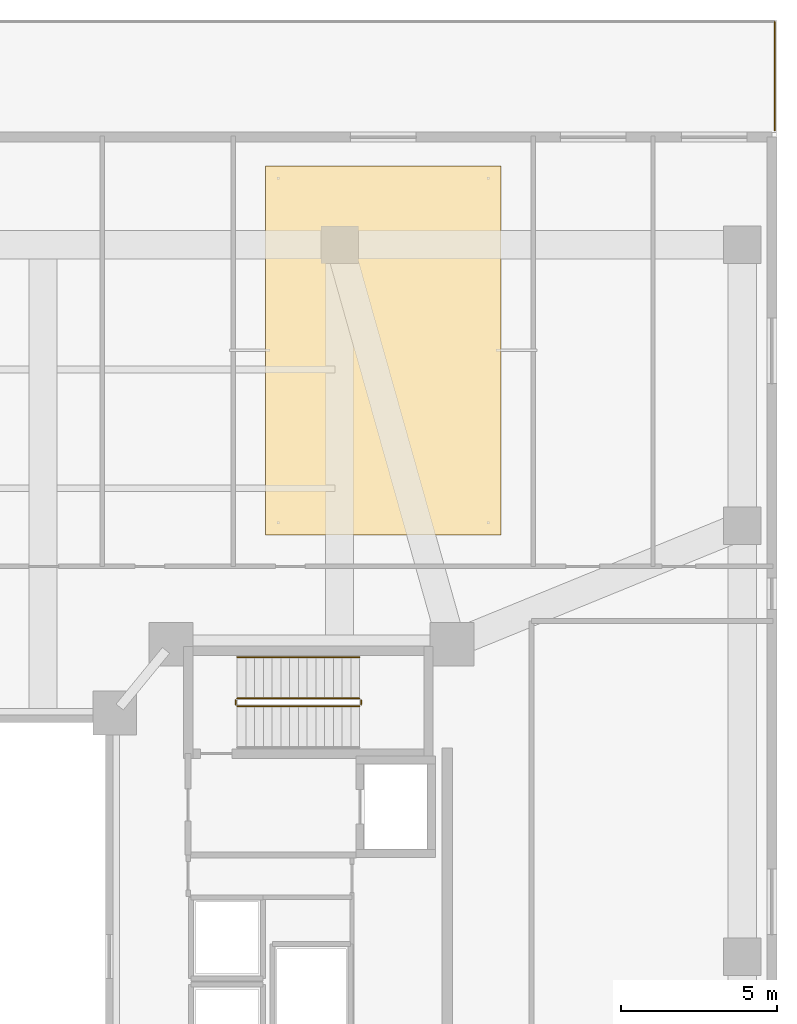
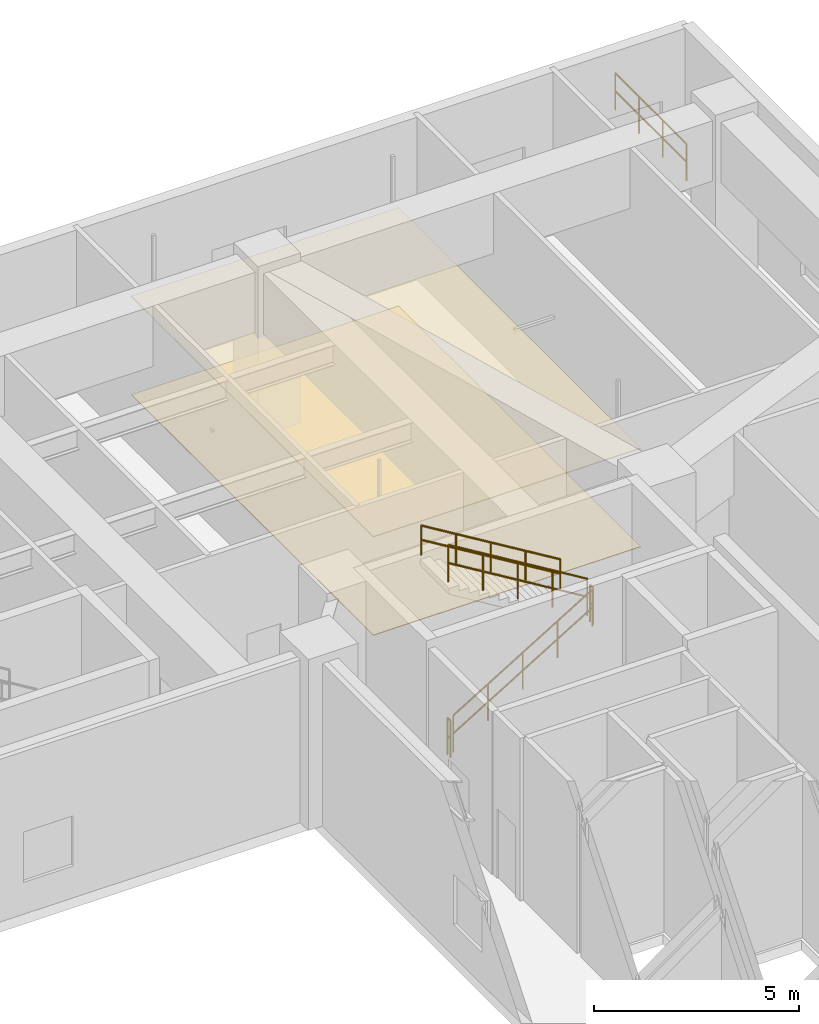
# One storey, part 21 of 21: 6 railings, 2 coverings.
"""IFC4 building model written with IfcOpenShell, lengths in metres."""

from ifc_helpers import new_model, si_unit, direction, frame, origin, origin_2d, place, context, subcontext, project, spatial, polyline, circle, outline, extrude, material, layer, layer_set, type_object, element, save


model = new_model("IFC4")

# Units and contexts
model_context = context("Model", 3, precision=1e-05, world=origin(), true_north=direction((0.0, 1.0)))
body_context = subcontext(model_context, "Body", "Model", "MODEL_VIEW")
ifc_project = project(units=[si_unit("LENGTHUNIT", "METRE"), si_unit("AREAUNIT", "SQUARE_METRE"), si_unit("VOLUMEUNIT", "CUBIC_METRE"), si_unit("PLANEANGLEUNIT", "RADIAN"), si_unit("MASSUNIT", "GRAM", prefix="KILO")], contexts=[model_context])

# Site, building, storey
site_placement = place(None, origin())
site = spatial("IfcSite", under=ifc_project, at=site_placement, CompositionType="ELEMENT")
building_placement = place(site_placement, origin())
building = spatial("IfcBuilding", under=site, at=building_placement, Name="Tarnavaz Court Tower", CompositionType="ELEMENT")
storey_placement = place(building_placement, frame((0.0, 0.0, 18.89990234375)))
storey = spatial("IfcBuildingStorey", under=building, at=storey_placement, Name="L04", CompositionType="ELEMENT", Elevation=18.89990234375)

# Coverings
ifc_material_1 = material(Name="Perforated Gypsum Acoustic Ceiling Tile", Category="masonry")
ifc_layer_1 = layer(ifc_material_1, 0.02490234375)
ifc_layer_set_1 = layer_set([ifc_layer_1], Name="Perforated Gypsum Acoustic Ceiling Tile")
covering_type_1 = type_object("IfcCoveringType", Name="CV-CEIL-AC", PredefinedType="CEILING", material=ifc_layer_set_1)
covering_1_placement = place(storey_placement, frame((0.0, 0.0, 2.93017578125)))
element("IfcCovering", 1, at=covering_1_placement, inside=storey, type_object=covering_type_1, Name="L04 L04 Staff Administration Office Suspended Acoustic Ceiling", PredefinedType="CEILING", context=body_context, shape_type="SweptSolid", body=[
    extrude(outline(polyline([(12.6298828125, 13.5), (20.169921875, 13.5), (20.169921875, 25.330078125), (12.6298828125, 25.330078125), (12.6298828125, 13.5)])), origin(), (0.0, 0.0, 1.0), 0.02490234375),
])
ifc_material_2 = material(Name="Glazed Khorasan Porcelain Floor Tile", Category="masonry")
ifc_layer_2 = layer(ifc_material_2, 0.02001953125)
ifc_layer_set_2 = layer_set([ifc_layer_2], Name="Glazed Khorasan Porcelain Floor Tile")
covering_type_2 = type_object("IfcCoveringType", Name="CV-FLR-PORC", PredefinedType="FLOORING", material=ifc_layer_set_2)
covering_2_placement = place(storey_placement, origin())
element("IfcCovering", 2, at=covering_2_placement, inside=storey, type_object=covering_type_2, Name="L04 L04 Staff Administration Office Porcelain Floor Finish", PredefinedType="FLOORING", context=body_context, shape_type="SweptSolid", body=[
    extrude(outline(polyline([(12.6298828125, 13.5), (20.169921875, 13.5), (20.169921875, 25.330078125), (12.6298828125, 25.330078125), (12.6298828125, 13.5)])), origin(), (0.0, 0.0, 1.0), 0.02001953125),
])

# Railings
ifc_material_3 = material(Name="Anodised Aluminium 6063-T6 and Laminated Safety Glass", Category="aluminium")
railing_type_1 = type_object("IfcRailingType", Name="RL-BAL-1120", PredefinedType="BALUSTRADE", material=ifc_material_3)
railing_1_placement = place(storey_placement, frame((28.93994140625, 26.4599609375, 0.0)))
element("IfcRailing", 3, at=railing_1_placement, inside=storey, type_object=railing_type_1, Name="L04 Terrace 1 E Perimeter Balustrade", PredefinedType="BALUSTRADE", context=body_context, shape_type="SweptSolid", body=[
    extrude(circle(Radius=0.02392578125, at=origin_2d()), frame((0.0, 0.0, 1.09619140625), z_axis=(0.0, 1.0, 0.0), x_axis=(-1.0, 0.0, 0.0)), (0.0, 0.0, 1.0), 3.47998046875),
    extrude(circle(Radius=0.02392578125, at=origin_2d()), frame((0.0, 0.0, 0.56005859375), z_axis=(0.0, 1.0, 0.0), x_axis=(-1.0, 0.0, 0.0)), (0.0, 0.0, 1.0), 3.47998046875),
    extrude(circle(Radius=0.02099609375, at=origin_2d()), origin(), (0.0, 0.0, 1.0), 1.072021484375),
    extrude(circle(Radius=0.02099609375, at=origin_2d()), frame((0.0, 1.159912109375, 0.0)), (0.0, 0.0, 1.0), 1.072021484375),
    extrude(circle(Radius=0.02099609375, at=origin_2d()), frame((0.0, 2.320068359375, 0.0)), (0.0, 0.0, 1.0), 1.072021484375),
    extrude(circle(Radius=0.02099609375, at=origin_2d()), frame((0.0, 3.47998046875, 0.0)), (0.0, 0.0, 1.0), 1.072021484375),
])
ifc_material_4 = material(Name="Brushed Stainless Steel", Category="steel")
railing_type_2 = type_object("IfcRailingType", Name="RL-HANDRAIL-900", PredefinedType="HANDRAIL", material=ifc_material_4)
railing_2_placement = place(storey_placement, frame((15.639892578125, 9.590087890625, 2.72021484375)))
element("IfcRailing", 4, at=railing_2_placement, inside=storey, type_object=railing_type_2, Name="L04 ST-E1 stair handrail 2", PredefinedType="HANDRAIL", context=body_context, shape_type="SweptSolid", body=[
    extrude(circle(Radius=0.02392578125, at=origin_2d()), frame((0.0, 0.0, 0.8759765625), z_axis=(-0.854794262968, 0.0, 0.518967020143), x_axis=(0.0, -1.0, 0.0)), (0.0, 0.0, 1.0), 4.585693359375),
    extrude(circle(Radius=0.02392578125, at=origin_2d()), frame((0.0, 0.0, 0.449951171875), z_axis=(-0.854794262968, 0.0, 0.518967020143), x_axis=(0.0, -1.0, 0.0)), (0.0, 0.0, 1.0), 4.585693359375),
    extrude(circle(Radius=0.02099609375, at=origin_2d()), origin(), (0.0, 0.0, 1.0), 0.851806640625),
    extrude(circle(Radius=0.02099609375, at=origin_2d()), frame((-0.97998046875, 0.0, 0.594970703125)), (0.0, 0.0, 1.0), 0.851806640625),
    extrude(circle(Radius=0.02099609375, at=origin_2d()), frame((-1.9599609375, 0.0, 1.18994140625)), (0.0, 0.0, 1.0), 0.851806640625),
    extrude(circle(Radius=0.02099609375, at=origin_2d()), frame((-2.93994140625, 0.0, 1.784912109375)), (0.0, 0.0, 1.0), 0.851806640625),
    extrude(circle(Radius=0.02099609375, at=origin_2d()), frame((-3.919921875, 0.0, 2.3798828125)), (0.0, 0.0, 1.0), 0.851806640625),
])
ifc_material_5 = material(Name="Galvanized Painted Tubular Steel", Category="steel")
railing_type_3 = type_object("IfcRailingType", Name="RL-STGUARD-1120", PredefinedType="GUARDRAIL", material=ifc_material_5)
railing_3_placement = place(storey_placement, frame((11.719970703125, 8.02001953125, 0.170166015625)))
element("IfcRailing", 5, at=railing_3_placement, inside=storey, type_object=railing_type_3, Name="L04 ST-E1 stair guard 1", PredefinedType="GUARDRAIL", context=body_context, shape_type="SweptSolid", body=[
    extrude(circle(Radius=0.02392578125, at=origin_2d()), frame((0.0, 0.0, 1.09619140625), z_axis=(0.854794262968, 0.0, 0.518967020143), x_axis=(0.0, 1.0, 0.0)), (0.0, 0.0, 1.0), 4.585693359375),
    extrude(circle(Radius=0.02392578125, at=origin_2d()), frame((0.0, 0.0, 0.56005859375), z_axis=(0.854794262968, 0.0, 0.518967020143), x_axis=(0.0, 1.0, 0.0)), (0.0, 0.0, 1.0), 4.585693359375),
    extrude(circle(Radius=0.02099609375, at=origin_2d()), origin(), (0.0, 0.0, 1.0), 1.072021484375),
    extrude(circle(Radius=0.02099609375, at=origin_2d()), frame((0.97998046875, 0.0, 0.594970703125)), (0.0, 0.0, 1.0), 1.072021484375),
    extrude(circle(Radius=0.02099609375, at=origin_2d()), frame((1.9599609375, 0.0, 1.18994140625)), (0.0, 0.0, 1.0), 1.072021484375),
    extrude(circle(Radius=0.02099609375, at=origin_2d()), frame((2.93994140625, 0.0, 1.784912109375)), (0.0, 0.0, 1.0), 1.072021484375),
    extrude(circle(Radius=0.02099609375, at=origin_2d()), frame((3.919921875, 0.0, 2.3798828125)), (0.0, 0.0, 1.0), 1.072021484375),
])
railing_4_placement = place(storey_placement, frame((15.68994140625, 8.070068359375, 2.550048828125)))
element("IfcRailing", 6, at=railing_4_placement, inside=storey, type_object=railing_type_3, Name="L04 ST-E1 stair guard 2", PredefinedType="GUARDRAIL", context=body_context, shape_type="SweptSolid", body=[
    extrude(circle(Radius=0.02392578125, at=origin_2d()), frame((0.0, 0.0, 1.09619140625), z_axis=(0.0, 1.0, 0.0), x_axis=(-1.0, 0.0, 0.0)), (0.0, 0.0, 1.0), 0.14990234375),
    extrude(circle(Radius=0.02392578125, at=origin_2d()), frame((0.0, 0.0, 0.56005859375), z_axis=(0.0, 1.0, 0.0), x_axis=(-1.0, 0.0, 0.0)), (0.0, 0.0, 1.0), 0.14990234375),
    extrude(circle(Radius=0.02099609375, at=origin_2d()), origin(), (0.0, 0.0, 1.0), 1.072021484375),
    extrude(circle(Radius=0.02099609375, at=origin_2d()), frame((0.0, 0.14990234375, 0.0)), (0.0, 0.0, 1.0), 1.072021484375),
])
railing_5_placement = place(storey_placement, frame((15.639892578125, 8.27001953125, 2.72021484375)))
element("IfcRailing", 7, at=railing_5_placement, inside=storey, type_object=railing_type_3, Name="L04 ST-E1 stair guard 3", PredefinedType="GUARDRAIL", context=body_context, shape_type="SweptSolid", body=[
    extrude(circle(Radius=0.02392578125, at=origin_2d()), frame((0.0, 0.0, 1.09619140625), z_axis=(-0.854794262968, 0.0, 0.518967020143), x_axis=(0.0, -1.0, 0.0)), (0.0, 0.0, 1.0), 4.585693359375),
    extrude(circle(Radius=0.02392578125, at=origin_2d()), frame((0.0, 0.0, 0.56005859375), z_axis=(-0.854794262968, 0.0, 0.518967020143), x_axis=(0.0, -1.0, 0.0)), (0.0, 0.0, 1.0), 4.585693359375),
    extrude(circle(Radius=0.02099609375, at=origin_2d()), origin(), (0.0, 0.0, 1.0), 1.072021484375),
    extrude(circle(Radius=0.02099609375, at=origin_2d()), frame((-0.97998046875, 0.0, 0.594970703125)), (0.0, 0.0, 1.0), 1.072021484375),
    extrude(circle(Radius=0.02099609375, at=origin_2d()), frame((-1.9599609375, 0.0, 1.18994140625)), (0.0, 0.0, 1.0), 1.072021484375),
    extrude(circle(Radius=0.02099609375, at=origin_2d()), frame((-2.93994140625, 0.0, 1.784912109375)), (0.0, 0.0, 1.0), 1.072021484375),
    extrude(circle(Radius=0.02099609375, at=origin_2d()), frame((-3.919921875, 0.0, 2.3798828125)), (0.0, 0.0, 1.0), 1.072021484375),
])
railing_6_placement = place(storey_placement, frame((11.669921875, 8.070068359375, 0.0)))
element("IfcRailing", 8, at=railing_6_placement, inside=storey, type_object=railing_type_3, Name="L04 ST-E1 stair guard 4", PredefinedType="GUARDRAIL", context=body_context, shape_type="SweptSolid", body=[
    extrude(circle(Radius=0.02392578125, at=origin_2d()), frame((0.0, 0.0, 1.09619140625), z_axis=(0.0, 1.0, 0.0), x_axis=(-1.0, 0.0, 0.0)), (0.0, 0.0, 1.0), 0.14990234375),
    extrude(circle(Radius=0.02392578125, at=origin_2d()), frame((0.0, 0.0, 0.56005859375), z_axis=(0.0, 1.0, 0.0), x_axis=(-1.0, 0.0, 0.0)), (0.0, 0.0, 1.0), 0.14990234375),
    extrude(circle(Radius=0.02099609375, at=origin_2d()), origin(), (0.0, 0.0, 1.0), 1.072021484375),
    extrude(circle(Radius=0.02099609375, at=origin_2d()), frame((0.0, 0.14990234375, 0.0)), (0.0, 0.0, 1.0), 1.072021484375),
])

save(model, "model.ifc")
